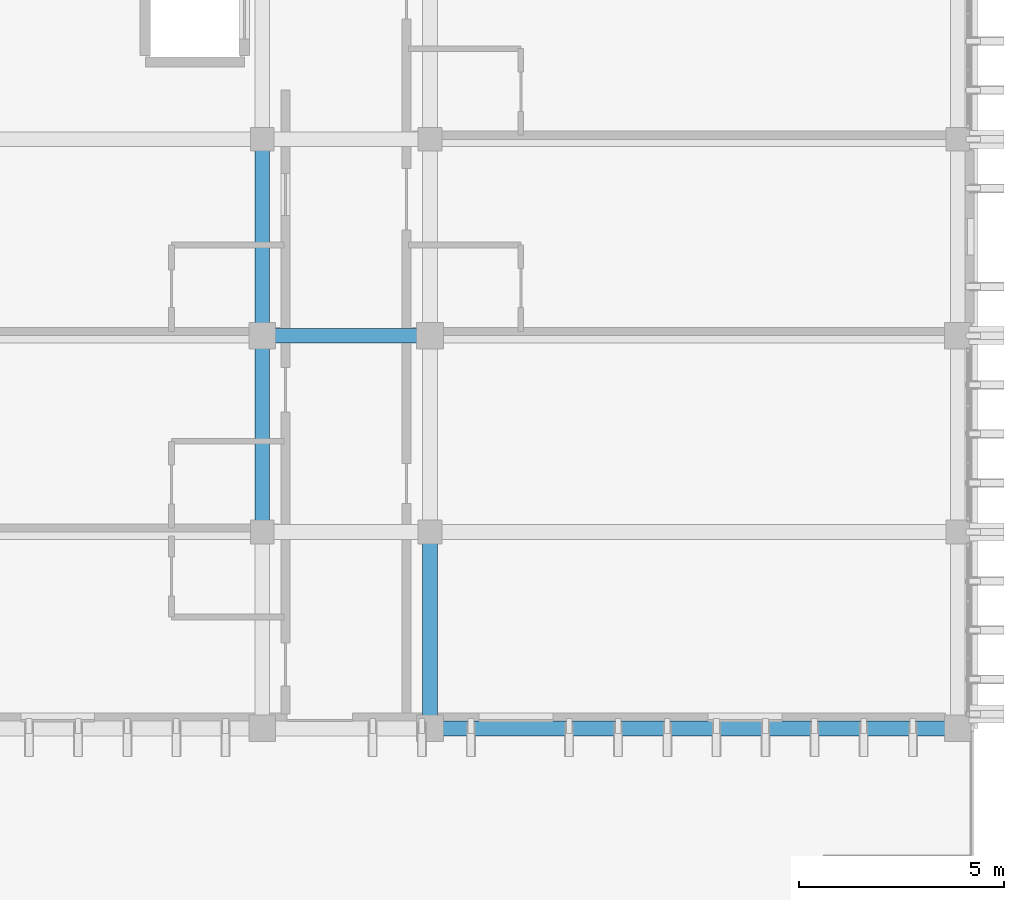
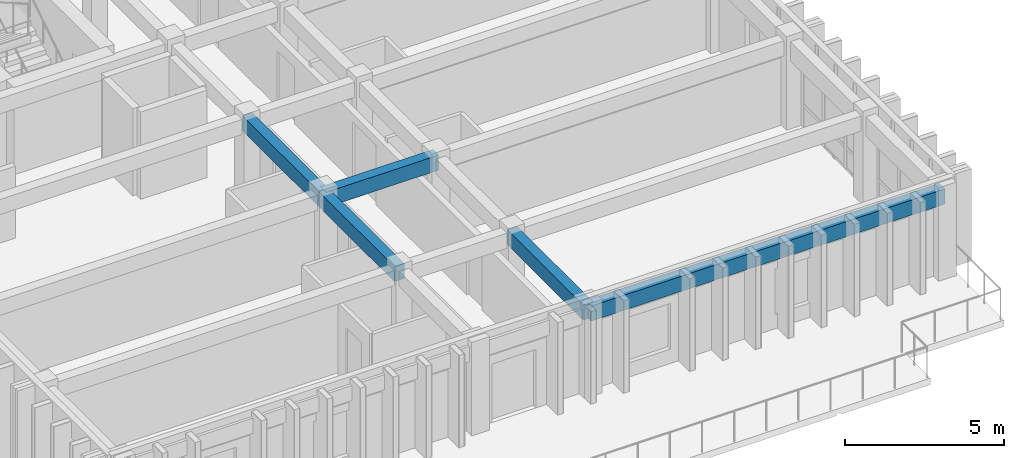
# One storey, part 5 of 49: 5 beams.
"""IFC4 building model written with IfcOpenShell, lengths in metres."""

from ifc_helpers import new_model, si_unit, direction, frame, origin, origin_2d, place, context, subcontext, project, spatial, rectangle, extrude, material, material_profile, profile_set, type_object, element, save


model = new_model("IFC4")

# Units and contexts
model_context = context("Model", 3, precision=1e-05, world=origin(), true_north=direction((0.0, 1.0)))
body_context = subcontext(model_context, "Body", "Model", "MODEL_VIEW")
ifc_project = project(units=[si_unit("LENGTHUNIT", "METRE"), si_unit("AREAUNIT", "SQUARE_METRE"), si_unit("VOLUMEUNIT", "CUBIC_METRE"), si_unit("PLANEANGLEUNIT", "RADIAN"), si_unit("MASSUNIT", "GRAM", prefix="KILO")], contexts=[model_context])

# Site, building, storey
site_placement = place(None, origin())
site = spatial("IfcSite", under=ifc_project, at=site_placement, CompositionType="ELEMENT")
building_placement = place(site_placement, origin())
building = spatial("IfcBuilding", under=site, at=building_placement, Name="Nakhvara Creek Congress Hotel", CompositionType="ELEMENT")
storey_placement = place(building_placement, frame((0.0, 0.0, 39.0)))
storey = spatial("IfcBuildingStorey", under=building, at=storey_placement, Name="L09", CompositionType="ELEMENT", Elevation=39.0)

# Beams
ifc_material = material(Name="Concrete C40/50", Category="concrete")
ifc_material_profile = material_profile(ifc_material, rectangle(XDim=0.360107421875, YDim=0.580078125, at=origin_2d()), Name="RC-BM 360x580", Category="LoadBearing")
ifc_profile_set = profile_set([ifc_material_profile], Name="Concrete C40/50")
beam_type = type_object("IfcBeamType", Name="BM-RC-360X580", PredefinedType="BEAM", material=ifc_profile_set)
beam_1_placement = place(storey_placement, frame((162.35009765625, 67.199951171875, 3.070068359375), z_axis=(1.0, 0.0, 0.0), x_axis=(0.0, 1.0, 0.0)))
element("IfcBeam", 1, at=beam_1_placement, inside=storey, type_object=beam_type, Name="Beam B09-L09-2555", PredefinedType="BEAM", context=body_context, shape_type="SweptSolid", body=[
    extrude(rectangle(XDim=0.360107421875, YDim=0.580078125, at=origin_2d()), origin(), (0.0, 0.0, 1.0), 4.099853515625),
])
for number, where, z_axis, x_axis, name in (
    (2, (162.35009765625, 62.39990234375, 3.070068359375), (0.0, 1.0, 0.0), (-1.0, 0.0, 0.0), "Beam B09-L09-2556"),
    (3, (162.35009765625, 67.199951171875, 3.070068359375), (0.0, 1.0, 0.0), (-1.0, 0.0, 0.0), "Beam B09-L09-2557"),
):
    element("IfcBeam", number, at=place(storey_placement, frame(where, z_axis=z_axis, x_axis=x_axis)), inside=storey, type_object=beam_type, Name=name, PredefinedType="BEAM", context=body_context, shape_type="SweptSolid", body=[
        extrude(rectangle(XDim=0.360107421875, YDim=0.580078125, at=origin_2d()), origin(), (0.0, 0.0, 1.0), 4.800048828125),
    ])
beam_2_placement = place(storey_placement, frame((166.449951171875, 57.60009765625, 3.070068359375), z_axis=(1.0, 0.0, 0.0), x_axis=(0.0, 1.0, 0.0)))
element("IfcBeam", 4, at=beam_2_placement, inside=storey, type_object=beam_type, Name="Beam B09-L09-2575", PredefinedType="BEAM", context=body_context, shape_type="SweptSolid", body=[
    extrude(rectangle(XDim=0.360107421875, YDim=0.580078125, at=origin_2d()), origin(), (0.0, 0.0, 1.0), 12.900146484375),
])
beam_3_placement = place(storey_placement, frame((166.449951171875, 57.60009765625, 3.070068359375), z_axis=(0.0, 1.0, 0.0), x_axis=(-1.0, 0.0, 0.0)))
element("IfcBeam", 5, at=beam_3_placement, inside=storey, type_object=beam_type, Name="Beam B09-L09-2576", PredefinedType="BEAM", context=body_context, shape_type="SweptSolid", body=[
    extrude(rectangle(XDim=0.360107421875, YDim=0.580078125, at=origin_2d()), origin(), (0.0, 0.0, 1.0), 4.7998046875),
])

save(model, "model.ifc")
